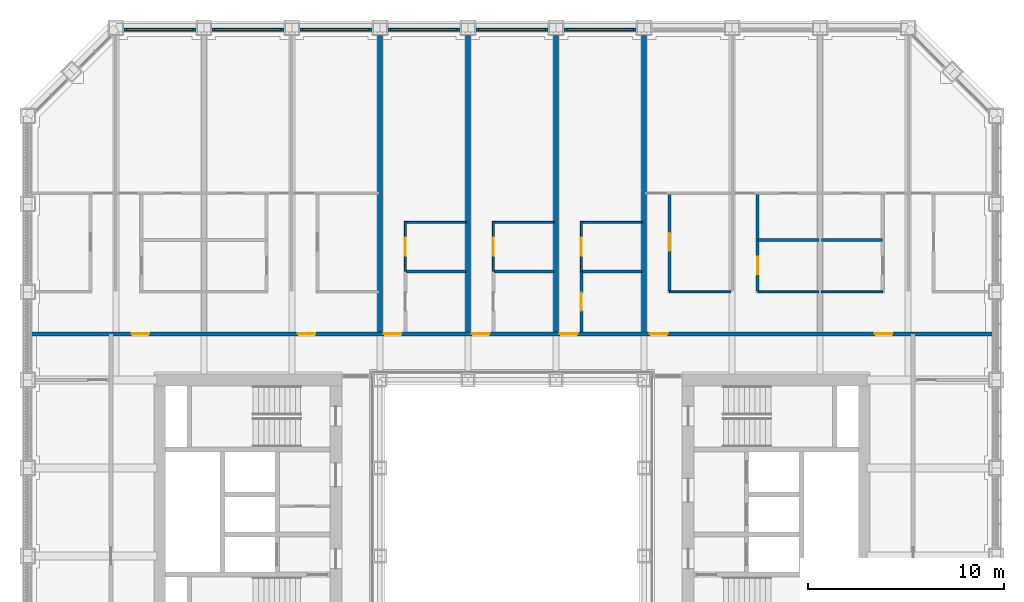
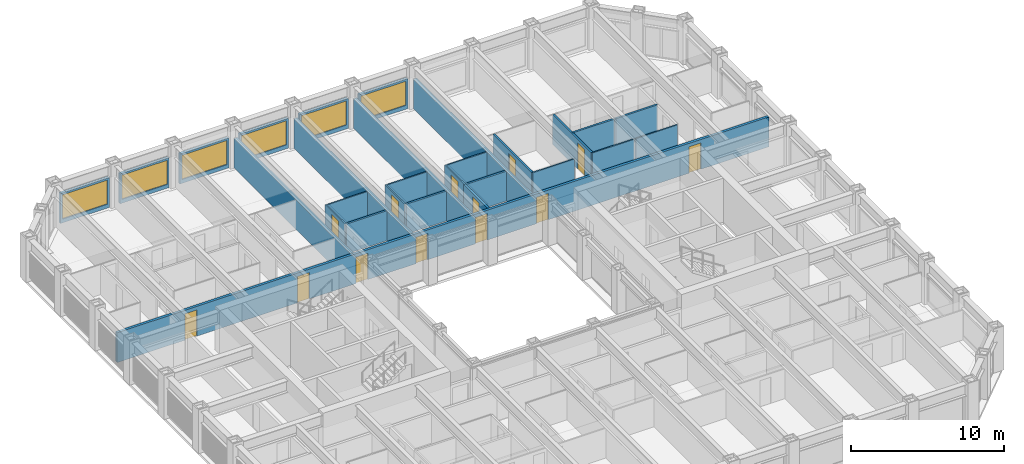
# One storey, part 14 of 21: 28 walls, 13 doors, 6 windows, 19 openings.
"""IFC4 building model written with IfcOpenShell, lengths in metres."""

from ifc_helpers import new_model, si_unit, direction, frame, frame_2d, origin, place, context, subcontext, project, spatial, rectangle, extrude, material, layer, layer_set, type_object, element, fill, save


model = new_model("IFC4")

# Units and contexts
model_context = context("Model", 3, precision=1e-05, world=origin(), true_north=direction((0.0, 1.0)))
body_context = subcontext(model_context, "Body", "Model", "MODEL_VIEW")
ifc_project = project(units=[si_unit("LENGTHUNIT", "METRE"), si_unit("AREAUNIT", "SQUARE_METRE"), si_unit("VOLUMEUNIT", "CUBIC_METRE"), si_unit("PLANEANGLEUNIT", "RADIAN"), si_unit("MASSUNIT", "GRAM", prefix="KILO")], contexts=[model_context])

# Site, building, storey
site_placement = place(None, origin())
site = spatial("IfcSite", under=ifc_project, at=site_placement, CompositionType="ELEMENT")
building_placement = place(site_placement, origin())
building = spatial("IfcBuilding", under=site, at=building_placement, Name="Msasa Ring Tower", CompositionType="ELEMENT")
storey_placement = place(building_placement, frame((0.0, 0.0, 44.0)))
storey = spatial("IfcBuildingStorey", under=building, at=storey_placement, Name="L10", CompositionType="ELEMENT", Elevation=44.0)

# Wall, opening, window
ifc_material_1 = material(Name="Terracotta rainscreen on blockwork", Category="masonry")
ifc_layer_1 = layer(ifc_material_1, 0.199951171875)
ifc_layer_set_1 = layer_set([ifc_layer_1], Name="FW1 TERRACOTTA-LINED INFILL BAY WALL 200")
wall_type_1 = type_object("IfcWallType", Name="FW1 TERRACOTTA-LINED INFILL BAY WALL 200", PredefinedType="SOLIDWALL", material=ifc_layer_set_1)
wall_1_placement = place(storey_placement, frame((-19.844970703125, 24.64990234375, 0.0), z_axis=(0.0, 0.0, 1.0), x_axis=(1.0, 0.0, 0.0)))
wall_1 = element("IfcWall", 1, at=wall_1_placement, inside=storey, type_object=wall_type_1, Name="Infill bay wall N L10 22", PredefinedType="SOLIDWALL", context=body_context, shape_type="SweptSolid", body=[
    extrude(rectangle(XDim=3.68994140625, YDim=0.199951171875, at=frame_2d((1.844970703125, 0.0))), origin(), (0.0, 0.0, 1.0), 2.37890625),
])
opening_1_placement = place(wall_1_placement, frame((0.14501953125, 0.0, 0.300048828125)))
opening_1 = element("IfcOpeningElement", 2, at=opening_1_placement, cuts=wall_1, Name="Opening WN1", PredefinedType="OPENING", context=body_context, shape_type="SweptSolid", body=[
    extrude(rectangle(XDim=3.39990234375, YDim=1.928955078125, at=frame_2d((1.699951171875, 0.96435546875))), frame((0.0, 0.10986328125, 0.0), z_axis=(0.0, -1.0, 0.0), x_axis=(1.0, 0.0, 0.0)), (0.0, 0.0, 1.0), 0.219970703125),
])
ifc_material_2 = material(Name="Aluminium frame with clear glass", Category="aluminium")
window_type = type_object("IfcWindowType", Name="WN1 RESIDENCE WINDOW 3400x1929", PartitioningType="SINGLE_PANEL", PredefinedType="WINDOW", material=ifc_material_2)
window_1_placement = place(opening_1_placement, origin())
window_1 = element("IfcWindow", 3, at=window_1_placement, inside=storey, type_object=window_type, Name="Window N L10 22", OverallHeight=1.928955078125, OverallWidth=3.39990234375, PartitioningType="SINGLE_PANEL", PredefinedType="WINDOW", context=body_context, shape_type="SweptSolid", body=[
    extrude(rectangle(XDim=3.39990234375, YDim=1.928955078125, at=frame_2d((1.699951171875, 0.96435546875))), frame((0.0, 0.030029296875, 0.0), z_axis=(0.0, -1.0, 0.0), x_axis=(1.0, 0.0, 0.0)), (0.0, 0.0, 1.0), 0.06005859375),
])
fill(opening_1, window_1)

wall_2_placement = place(storey_placement, frame((-15.344970703125, 24.64990234375, 0.0), z_axis=(0.0, 0.0, 1.0), x_axis=(1.0, 0.0, 0.0)))
wall_2 = element("IfcWall", 4, at=wall_2_placement, inside=storey, type_object=wall_type_1, Name="Infill bay wall N L10 23", PredefinedType="SOLIDWALL", context=body_context, shape_type="SweptSolid", body=[
    extrude(rectangle(XDim=3.68994140625, YDim=0.199951171875, at=frame_2d((1.844970703125, 0.0))), origin(), (0.0, 0.0, 1.0), 2.37890625),
])
opening_2_placement = place(wall_2_placement, frame((0.14501953125, 0.0, 0.300048828125)))
opening_2 = element("IfcOpeningElement", 5, at=opening_2_placement, cuts=wall_2, Name="Opening WN1", PredefinedType="OPENING", context=body_context, shape_type="SweptSolid", body=[
    extrude(rectangle(XDim=3.39990234375, YDim=1.928955078125, at=frame_2d((1.699951171875, 0.96435546875))), frame((0.0, 0.10986328125, 0.0), z_axis=(0.0, -1.0, 0.0), x_axis=(1.0, 0.0, 0.0)), (0.0, 0.0, 1.0), 0.219970703125),
])
window_2_placement = place(opening_2_placement, origin())
window_2 = element("IfcWindow", 6, at=window_2_placement, inside=storey, type_object=window_type, Name="Window N L10 23", OverallHeight=1.928955078125, OverallWidth=3.39990234375, PartitioningType="SINGLE_PANEL", PredefinedType="WINDOW", context=body_context, shape_type="SweptSolid", body=[
    extrude(rectangle(XDim=3.39990234375, YDim=1.928955078125, at=frame_2d((1.699951171875, 0.96435546875))), frame((0.0, 0.030029296875, 0.0), z_axis=(0.0, -1.0, 0.0), x_axis=(1.0, 0.0, 0.0)), (0.0, 0.0, 1.0), 0.06005859375),
])
fill(opening_2, window_2)

wall_3_placement = place(storey_placement, frame((-10.844970703125, 24.64990234375, 0.0), z_axis=(0.0, 0.0, 1.0), x_axis=(1.0, 0.0, 0.0)))
wall_3 = element("IfcWall", 7, at=wall_3_placement, inside=storey, type_object=wall_type_1, Name="Infill bay wall N L10 24", PredefinedType="SOLIDWALL", context=body_context, shape_type="SweptSolid", body=[
    extrude(rectangle(XDim=3.68994140625, YDim=0.199951171875, at=frame_2d((1.844970703125, 0.0))), origin(), (0.0, 0.0, 1.0), 2.37890625),
])
opening_3_placement = place(wall_3_placement, frame((0.14501953125, 0.0, 0.300048828125)))
opening_3 = element("IfcOpeningElement", 8, at=opening_3_placement, cuts=wall_3, Name="Opening WN1", PredefinedType="OPENING", context=body_context, shape_type="SweptSolid", body=[
    extrude(rectangle(XDim=3.39990234375, YDim=1.928955078125, at=frame_2d((1.699951171875, 0.96435546875))), frame((0.0, 0.10986328125, 0.0), z_axis=(0.0, -1.0, 0.0), x_axis=(1.0, 0.0, 0.0)), (0.0, 0.0, 1.0), 0.219970703125),
])
window_3_placement = place(opening_3_placement, origin())
window_3 = element("IfcWindow", 9, at=window_3_placement, inside=storey, type_object=window_type, Name="Window N L10 24", OverallHeight=1.928955078125, OverallWidth=3.39990234375, PartitioningType="SINGLE_PANEL", PredefinedType="WINDOW", context=body_context, shape_type="SweptSolid", body=[
    extrude(rectangle(XDim=3.39990234375, YDim=1.928955078125, at=frame_2d((1.699951171875, 0.96435546875))), frame((0.0, 0.030029296875, 0.0), z_axis=(0.0, -1.0, 0.0), x_axis=(1.0, 0.0, 0.0)), (0.0, 0.0, 1.0), 0.06005859375),
])
fill(opening_3, window_3)

wall_4_placement = place(storey_placement, frame((-6.344970703125, 24.64990234375, 0.0), z_axis=(0.0, 0.0, 1.0), x_axis=(1.0, 0.0, 0.0)))
wall_4 = element("IfcWall", 10, at=wall_4_placement, inside=storey, type_object=wall_type_1, Name="Infill bay wall N L10 25", PredefinedType="SOLIDWALL", context=body_context, shape_type="SweptSolid", body=[
    extrude(rectangle(XDim=3.68994140625, YDim=0.199951171875, at=frame_2d((1.844970703125, 0.0))), origin(), (0.0, 0.0, 1.0), 2.37890625),
])
opening_4_placement = place(wall_4_placement, frame((0.14501953125, 0.0, 0.300048828125)))
opening_4 = element("IfcOpeningElement", 11, at=opening_4_placement, cuts=wall_4, Name="Opening WN1", PredefinedType="OPENING", context=body_context, shape_type="SweptSolid", body=[
    extrude(rectangle(XDim=3.39990234375, YDim=1.928955078125, at=frame_2d((1.699951171875, 0.96435546875))), frame((0.0, 0.10986328125, 0.0), z_axis=(0.0, -1.0, 0.0), x_axis=(1.0, 0.0, 0.0)), (0.0, 0.0, 1.0), 0.219970703125),
])
window_4_placement = place(opening_4_placement, origin())
window_4 = element("IfcWindow", 12, at=window_4_placement, inside=storey, type_object=window_type, Name="Window N L10 25", OverallHeight=1.928955078125, OverallWidth=3.39990234375, PartitioningType="SINGLE_PANEL", PredefinedType="WINDOW", context=body_context, shape_type="SweptSolid", body=[
    extrude(rectangle(XDim=3.39990234375, YDim=1.928955078125, at=frame_2d((1.699951171875, 0.96435546875))), frame((0.0, 0.030029296875, 0.0), z_axis=(0.0, -1.0, 0.0), x_axis=(1.0, 0.0, 0.0)), (0.0, 0.0, 1.0), 0.06005859375),
])
fill(opening_4, window_4)

wall_5_placement = place(storey_placement, frame((-1.844970703125, 24.64990234375, 0.0), z_axis=(0.0, 0.0, 1.0), x_axis=(1.0, 0.0, 0.0)))
wall_5 = element("IfcWall", 13, at=wall_5_placement, inside=storey, type_object=wall_type_1, Name="Infill bay wall N L10 26", PredefinedType="SOLIDWALL", context=body_context, shape_type="SweptSolid", body=[
    extrude(rectangle(XDim=3.68994140625, YDim=0.199951171875, at=frame_2d((1.844970703125, 0.0))), origin(), (0.0, 0.0, 1.0), 2.37890625),
])
opening_5_placement = place(wall_5_placement, frame((0.14501953125, 0.0, 0.300048828125)))
opening_5 = element("IfcOpeningElement", 14, at=opening_5_placement, cuts=wall_5, Name="Opening WN1", PredefinedType="OPENING", context=body_context, shape_type="SweptSolid", body=[
    extrude(rectangle(XDim=3.39990234375, YDim=1.928955078125, at=frame_2d((1.699951171875, 0.96435546875))), frame((0.0, 0.10986328125, 0.0), z_axis=(0.0, -1.0, 0.0), x_axis=(1.0, 0.0, 0.0)), (0.0, 0.0, 1.0), 0.219970703125),
])
window_5_placement = place(opening_5_placement, origin())
window_5 = element("IfcWindow", 15, at=window_5_placement, inside=storey, type_object=window_type, Name="Window N L10 26", OverallHeight=1.928955078125, OverallWidth=3.39990234375, PartitioningType="SINGLE_PANEL", PredefinedType="WINDOW", context=body_context, shape_type="SweptSolid", body=[
    extrude(rectangle(XDim=3.39990234375, YDim=1.928955078125, at=frame_2d((1.699951171875, 0.96435546875))), frame((0.0, 0.030029296875, 0.0), z_axis=(0.0, -1.0, 0.0), x_axis=(1.0, 0.0, 0.0)), (0.0, 0.0, 1.0), 0.06005859375),
])
fill(opening_5, window_5)

wall_6_placement = place(storey_placement, frame((2.655029296875, 24.64990234375, 0.0), z_axis=(0.0, 0.0, 1.0), x_axis=(1.0, 0.0, 0.0)))
wall_6 = element("IfcWall", 16, at=wall_6_placement, inside=storey, type_object=wall_type_1, Name="Infill bay wall N L10 27", PredefinedType="SOLIDWALL", context=body_context, shape_type="SweptSolid", body=[
    extrude(rectangle(XDim=3.68994140625, YDim=0.199951171875, at=frame_2d((1.844970703125, 0.0))), origin(), (0.0, 0.0, 1.0), 2.37890625),
])
opening_6_placement = place(wall_6_placement, frame((0.14501953125, 0.0, 0.300048828125)))
opening_6 = element("IfcOpeningElement", 17, at=opening_6_placement, cuts=wall_6, Name="Opening WN1", PredefinedType="OPENING", context=body_context, shape_type="SweptSolid", body=[
    extrude(rectangle(XDim=3.39990234375, YDim=1.928955078125, at=frame_2d((1.699951171875, 0.96435546875))), frame((0.0, 0.10986328125, 0.0), z_axis=(0.0, -1.0, 0.0), x_axis=(1.0, 0.0, 0.0)), (0.0, 0.0, 1.0), 0.219970703125),
])
window_6_placement = place(opening_6_placement, origin())
window_6 = element("IfcWindow", 18, at=window_6_placement, inside=storey, type_object=window_type, Name="Window N L10 27", OverallHeight=1.928955078125, OverallWidth=3.39990234375, PartitioningType="SINGLE_PANEL", PredefinedType="WINDOW", context=body_context, shape_type="SweptSolid", body=[
    extrude(rectangle(XDim=3.39990234375, YDim=1.928955078125, at=frame_2d((1.699951171875, 0.96435546875))), frame((0.0, 0.030029296875, 0.0), z_axis=(0.0, -1.0, 0.0), x_axis=(1.0, 0.0, 0.0)), (0.0, 0.0, 1.0), 0.06005859375),
])
fill(opening_6, window_6)

# Wall, openings, doors
ifc_material_3 = material(Name="Concrete blockwork", Category="masonry")
ifc_layer_2 = layer(ifc_material_3, 0.199951171875)
ifc_layer_set_2 = layer_set([ifc_layer_2], Name="PT1 CORRIDOR WALL 200")
wall_type_2 = type_object("IfcWallType", Name="PT1 CORRIDOR WALL 200", PredefinedType="PARTITIONING", material=ifc_layer_set_2)
wall_7_placement = place(storey_placement, frame((-24.550048828125, 9.10009765625, 0.0), z_axis=(0.0, 0.0, 1.0), x_axis=(1.0, 0.0, 0.0)))
wall_7 = element("IfcWall", 19, at=wall_7_placement, inside=storey, type_object=wall_type_2, Name="Corridor wall L10-CORRN0", PredefinedType="PARTITIONING", context=body_context, shape_type="SweptSolid", body=[
    extrude(rectangle(XDim=49.10009765625, YDim=0.199951171875, at=frame_2d((24.550048828125, 0.0))), origin(), (0.0, 0.0, 1.0), 2.373291015625),
])
opening_7_placement = place(wall_7_placement, frame((5.10009765625, 0.0, 0.0)))
opening_7 = element("IfcOpeningElement", 20, at=opening_7_placement, cuts=wall_7, Name="Opening RB-027", PredefinedType="OPENING", context=body_context, shape_type="SweptSolid", body=[
    extrude(rectangle(XDim=0.89990234375, YDim=2.10009765625, at=frame_2d((0.449951171875, 1.050048828125))), frame((0.0, 0.10986328125, 0.0), z_axis=(0.0, -1.0, 0.0), x_axis=(1.0, 0.0, 0.0)), (0.0, 0.0, 1.0), 0.219970703125),
])
opening_8_placement = place(wall_7_placement, frame((13.60009765625, 0.0, 0.0)))
opening_8 = element("IfcOpeningElement", 21, at=opening_8_placement, cuts=wall_7, Name="Opening RB-028", PredefinedType="OPENING", context=body_context, shape_type="SweptSolid", body=[
    extrude(rectangle(XDim=0.89990234375, YDim=2.10009765625, at=frame_2d((0.449951171875, 1.050048828125))), frame((0.0, 0.10986328125, 0.0), z_axis=(0.0, -1.0, 0.0), x_axis=(1.0, 0.0, 0.0)), (0.0, 0.0, 1.0), 0.219970703125),
])
opening_9_placement = place(wall_7_placement, frame((18.0, 0.0, 0.0)))
opening_9 = element("IfcOpeningElement", 22, at=opening_9_placement, cuts=wall_7, Name="Opening RB-029", PredefinedType="OPENING", context=body_context, shape_type="SweptSolid", body=[
    extrude(rectangle(XDim=0.89990234375, YDim=2.10009765625, at=frame_2d((0.449951171875, 1.050048828125))), frame((0.0, 0.10986328125, 0.0), z_axis=(0.0, -1.0, 0.0), x_axis=(1.0, 0.0, 0.0)), (0.0, 0.0, 1.0), 0.219970703125),
])
opening_10_placement = place(wall_7_placement, frame((22.5, 0.0, 0.0)))
opening_10 = element("IfcOpeningElement", 23, at=opening_10_placement, cuts=wall_7, Name="Opening RB-030", PredefinedType="OPENING", context=body_context, shape_type="SweptSolid", body=[
    extrude(rectangle(XDim=0.89990234375, YDim=2.10009765625, at=frame_2d((0.449951171875, 1.050048828125))), frame((0.0, 0.10986328125, 0.0), z_axis=(0.0, -1.0, 0.0), x_axis=(1.0, 0.0, 0.0)), (0.0, 0.0, 1.0), 0.219970703125),
])
opening_11_placement = place(wall_7_placement, frame((27.0, 0.0, 0.0)))
opening_11 = element("IfcOpeningElement", 24, at=opening_11_placement, cuts=wall_7, Name="Opening RB-031", PredefinedType="OPENING", context=body_context, shape_type="SweptSolid", body=[
    extrude(rectangle(XDim=0.89990234375, YDim=2.10009765625, at=frame_2d((0.449951171875, 1.050048828125))), frame((0.0, 0.10986328125, 0.0), z_axis=(0.0, -1.0, 0.0), x_axis=(1.0, 0.0, 0.0)), (0.0, 0.0, 1.0), 0.219970703125),
])
opening_12_placement = place(wall_7_placement, frame((31.60009765625, 0.0, 0.0)))
opening_12 = element("IfcOpeningElement", 25, at=opening_12_placement, cuts=wall_7, Name="Opening RB-032", PredefinedType="OPENING", context=body_context, shape_type="SweptSolid", body=[
    extrude(rectangle(XDim=0.89990234375, YDim=2.10009765625, at=frame_2d((0.449951171875, 1.050048828125))), frame((0.0, 0.10986328125, 0.0), z_axis=(0.0, -1.0, 0.0), x_axis=(1.0, 0.0, 0.0)), (0.0, 0.0, 1.0), 0.219970703125),
])
opening_13_placement = place(wall_7_placement, frame((43.10009765625, 0.0, 0.0)))
opening_13 = element("IfcOpeningElement", 26, at=opening_13_placement, cuts=wall_7, Name="Opening RB-033", PredefinedType="OPENING", context=body_context, shape_type="SweptSolid", body=[
    extrude(rectangle(XDim=0.89990234375, YDim=2.10009765625, at=frame_2d((0.449951171875, 1.050048828125))), frame((0.0, 0.10986328125, 0.0), z_axis=(0.0, -1.0, 0.0), x_axis=(1.0, 0.0, 0.0)), (0.0, 0.0, 1.0), 0.219970703125),
])
ifc_material_4 = material(Name="Timber door leaf in a steel frame", Category="steel")
door_type_1 = type_object("IfcDoorType", Name="D2 ENTRANCE DOOR 900x2100", OperationType="SINGLE_SWING_LEFT", PredefinedType="DOOR", material=ifc_material_4)
door_1_placement = place(opening_7_placement, origin())
door_1 = element("IfcDoor", 27, at=door_1_placement, inside=storey, type_object=door_type_1, Name="Door L10-UN00", OperationType="SINGLE_SWING_LEFT", OverallHeight=2.10009765625, OverallWidth=0.89990234375, PredefinedType="DOOR", context=body_context, shape_type="SweptSolid", body=[
    extrude(rectangle(XDim=0.89990234375, YDim=2.10009765625, at=frame_2d((0.449951171875, 1.050048828125))), frame((0.0, 0.02490234375, 0.0), z_axis=(0.0, -1.0, 0.0), x_axis=(1.0, 0.0, 0.0)), (0.0, 0.0, 1.0), 0.050048828125),
])
fill(opening_7, door_1)
door_2_placement = place(opening_8_placement, origin())
door_2 = element("IfcDoor", 28, at=door_2_placement, inside=storey, type_object=door_type_1, Name="Door L10-UN01", OperationType="SINGLE_SWING_LEFT", OverallHeight=2.10009765625, OverallWidth=0.89990234375, PredefinedType="DOOR", context=body_context, shape_type="SweptSolid", body=[
    extrude(rectangle(XDim=0.89990234375, YDim=2.10009765625, at=frame_2d((0.449951171875, 1.050048828125))), frame((0.0, 0.02490234375, 0.0), z_axis=(0.0, -1.0, 0.0), x_axis=(1.0, 0.0, 0.0)), (0.0, 0.0, 1.0), 0.050048828125),
])
fill(opening_8, door_2)
door_3_placement = place(opening_9_placement, origin())
door_3 = element("IfcDoor", 29, at=door_3_placement, inside=storey, type_object=door_type_1, Name="Door L10-UN02", OperationType="SINGLE_SWING_LEFT", OverallHeight=2.10009765625, OverallWidth=0.89990234375, PredefinedType="DOOR", context=body_context, shape_type="SweptSolid", body=[
    extrude(rectangle(XDim=0.89990234375, YDim=2.10009765625, at=frame_2d((0.449951171875, 1.050048828125))), frame((0.0, 0.02490234375, 0.0), z_axis=(0.0, -1.0, 0.0), x_axis=(1.0, 0.0, 0.0)), (0.0, 0.0, 1.0), 0.050048828125),
])
fill(opening_9, door_3)
door_4_placement = place(opening_10_placement, origin())
door_4 = element("IfcDoor", 30, at=door_4_placement, inside=storey, type_object=door_type_1, Name="Door L10-UN03", OperationType="SINGLE_SWING_LEFT", OverallHeight=2.10009765625, OverallWidth=0.89990234375, PredefinedType="DOOR", context=body_context, shape_type="SweptSolid", body=[
    extrude(rectangle(XDim=0.89990234375, YDim=2.10009765625, at=frame_2d((0.449951171875, 1.050048828125))), frame((0.0, 0.02490234375, 0.0), z_axis=(0.0, -1.0, 0.0), x_axis=(1.0, 0.0, 0.0)), (0.0, 0.0, 1.0), 0.050048828125),
])
fill(opening_10, door_4)
door_5_placement = place(opening_11_placement, origin())
door_5 = element("IfcDoor", 31, at=door_5_placement, inside=storey, type_object=door_type_1, Name="Door L10-UN04", OperationType="SINGLE_SWING_RIGHT", OverallHeight=2.10009765625, OverallWidth=0.89990234375, PredefinedType="DOOR", context=body_context, shape_type="SweptSolid", body=[
    extrude(rectangle(XDim=0.89990234375, YDim=2.10009765625, at=frame_2d((0.449951171875, 1.050048828125))), frame((0.0, 0.02490234375, 0.0), z_axis=(0.0, -1.0, 0.0), x_axis=(1.0, 0.0, 0.0)), (0.0, 0.0, 1.0), 0.050048828125),
])
fill(opening_11, door_5)
door_6_placement = place(opening_12_placement, origin())
door_6 = element("IfcDoor", 32, at=door_6_placement, inside=storey, type_object=door_type_1, Name="Door L10-UN05", OperationType="SINGLE_SWING_RIGHT", OverallHeight=2.10009765625, OverallWidth=0.89990234375, PredefinedType="DOOR", context=body_context, shape_type="SweptSolid", body=[
    extrude(rectangle(XDim=0.89990234375, YDim=2.10009765625, at=frame_2d((0.449951171875, 1.050048828125))), frame((0.0, 0.02490234375, 0.0), z_axis=(0.0, -1.0, 0.0), x_axis=(1.0, 0.0, 0.0)), (0.0, 0.0, 1.0), 0.050048828125),
])
fill(opening_12, door_6)
door_7_placement = place(opening_13_placement, origin())
door_7 = element("IfcDoor", 33, at=door_7_placement, inside=storey, type_object=door_type_1, Name="Door L10-UN06", OperationType="SINGLE_SWING_RIGHT", OverallHeight=2.10009765625, OverallWidth=0.89990234375, PredefinedType="DOOR", context=body_context, shape_type="SweptSolid", body=[
    extrude(rectangle(XDim=0.89990234375, YDim=2.10009765625, at=frame_2d((0.449951171875, 1.050048828125))), frame((0.0, 0.02490234375, 0.0), z_axis=(0.0, -1.0, 0.0), x_axis=(1.0, 0.0, 0.0)), (0.0, 0.0, 1.0), 0.050048828125),
])
fill(opening_13, door_7)

# Wall
ifc_material_5 = material(Name="Gypsum board on steel studs", Category="steel")
ifc_layer_3 = layer(ifc_material_5, 0.10009765625)
ifc_layer_set_3 = layer_set([ifc_layer_3], Name="PT2 STUD PARTITION 100")
wall_type_3 = type_object("IfcWallType", Name="PT2 STUD PARTITION 100", PredefinedType="PARTITIONING", material=ifc_layer_set_3)
wall_8_placement = place(storey_placement, frame((-5.39990234375, 14.800048828125, 0.0), z_axis=(0.0, 0.0, 1.0), x_axis=(1.0, 0.0, 0.0)))
element("IfcWall", 34, at=wall_8_placement, inside=storey, type_object=wall_type_3, Name="Partition L10-UN02KY", PredefinedType="PARTITIONING", context=body_context, shape_type="SweptSolid", body=[
    extrude(rectangle(XDim=3.0498046875, YDim=0.10009765625, at=frame_2d((1.52490234375, 0.0))), origin(), (0.0, 0.0, 1.0), 2.373291015625),
])

# Wall, opening, door
wall_9_placement = place(storey_placement, frame((-5.449951171875, 12.300048828125, 0.0), z_axis=(0.0, 0.0, 1.0), x_axis=(0.0, 1.0, 0.0)))
wall_9 = element("IfcWall", 35, at=wall_9_placement, inside=storey, type_object=wall_type_3, Name="Partition L10-UN02KX", PredefinedType="PARTITIONING", context=body_context, shape_type="SweptSolid", body=[
    extrude(rectangle(XDim=2.550048828125, YDim=0.10009765625, at=frame_2d((1.27490234375, 0.0))), origin(), (0.0, 0.0, 1.0), 2.373291015625),
])
opening_14_placement = place(wall_9_placement, frame((0.81005859375, 0.0, 0.0)))
opening_14 = element("IfcOpeningElement", 36, at=opening_14_placement, cuts=wall_9, Name="Opening RB-017", PredefinedType="OPENING", context=body_context, shape_type="SweptSolid", body=[
    extrude(rectangle(XDim=0.89990234375, YDim=2.10009765625, at=frame_2d((0.449951171875, 1.050048828125))), frame((0.0, 0.06005859375, 0.0), z_axis=(0.0, -1.0, 0.0), x_axis=(1.0, 0.0, 0.0)), (0.0, 0.0, 1.0), 0.1201171875),
])
ifc_material_6 = material(Name="Timber door leaf in a steel frame", Category="steel")
door_type_2 = type_object("IfcDoorType", Name="D22 INTERNAL HALL DOOR 900x2100", OperationType="SINGLE_SWING_LEFT", PredefinedType="DOOR", material=ifc_material_6)
door_8_placement = place(opening_14_placement, origin())
door_8 = element("IfcDoor", 37, at=door_8_placement, inside=storey, type_object=door_type_2, Name="Door L10-UN02K", OperationType="SINGLE_SWING_LEFT", OverallHeight=2.10009765625, OverallWidth=0.89990234375, PredefinedType="DOOR", context=body_context, shape_type="SweptSolid", body=[
    extrude(rectangle(XDim=0.89990234375, YDim=2.10009765625, at=frame_2d((0.449951171875, 1.050048828125))), frame((0.0, 0.02490234375, 0.0), z_axis=(0.0, -1.0, 0.0), x_axis=(1.0, 0.0, 0.0)), (0.0, 0.0, 1.0), 0.050048828125),
])
fill(opening_14, door_8)

# Wall
wall_10_placement = place(storey_placement, frame((-0.89990234375, 14.800048828125, 0.0), z_axis=(0.0, 0.0, 1.0), x_axis=(1.0, 0.0, 0.0)))
element("IfcWall", 38, at=wall_10_placement, inside=storey, type_object=wall_type_3, Name="Partition L10-UN03KY", PredefinedType="PARTITIONING", context=body_context, shape_type="SweptSolid", body=[
    extrude(rectangle(XDim=3.0498046875, YDim=0.10009765625, at=frame_2d((1.52490234375, 0.0))), origin(), (0.0, 0.0, 1.0), 2.373291015625),
])

# Wall, opening, door
wall_11_placement = place(storey_placement, frame((-0.949951171875, 12.300048828125, 0.0), z_axis=(0.0, 0.0, 1.0), x_axis=(0.0, 1.0, 0.0)))
wall_11 = element("IfcWall", 39, at=wall_11_placement, inside=storey, type_object=wall_type_3, Name="Partition L10-UN03KX", PredefinedType="PARTITIONING", context=body_context, shape_type="SweptSolid", body=[
    extrude(rectangle(XDim=2.550048828125, YDim=0.10009765625, at=frame_2d((1.27490234375, 0.0))), origin(), (0.0, 0.0, 1.0), 2.373291015625),
])
opening_15_placement = place(wall_11_placement, frame((0.81005859375, 0.0, 0.0)))
opening_15 = element("IfcOpeningElement", 40, at=opening_15_placement, cuts=wall_11, Name="Opening RB-018", PredefinedType="OPENING", context=body_context, shape_type="SweptSolid", body=[
    extrude(rectangle(XDim=0.89990234375, YDim=2.10009765625, at=frame_2d((0.449951171875, 1.050048828125))), frame((0.0, 0.06005859375, 0.0), z_axis=(0.0, -1.0, 0.0), x_axis=(1.0, 0.0, 0.0)), (0.0, 0.0, 1.0), 0.1201171875),
])
door_9_placement = place(opening_15_placement, origin())
door_9 = element("IfcDoor", 41, at=door_9_placement, inside=storey, type_object=door_type_2, Name="Door L10-UN03K", OperationType="SINGLE_SWING_LEFT", OverallHeight=2.10009765625, OverallWidth=0.89990234375, PredefinedType="DOOR", context=body_context, shape_type="SweptSolid", body=[
    extrude(rectangle(XDim=0.89990234375, YDim=2.10009765625, at=frame_2d((0.449951171875, 1.050048828125))), frame((0.0, 0.02490234375, 0.0), z_axis=(0.0, -1.0, 0.0), x_axis=(1.0, 0.0, 0.0)), (0.0, 0.0, 1.0), 0.050048828125),
])
fill(opening_15, door_9)

# Wall
wall_12_placement = place(storey_placement, frame((3.60009765625, 14.800048828125, 0.0), z_axis=(0.0, 0.0, 1.0), x_axis=(1.0, 0.0, 0.0)))
element("IfcWall", 42, at=wall_12_placement, inside=storey, type_object=wall_type_3, Name="Partition L10-UN04KY", PredefinedType="PARTITIONING", context=body_context, shape_type="SweptSolid", body=[
    extrude(rectangle(XDim=3.0498046875, YDim=0.10009765625, at=frame_2d((1.52490234375, 0.0))), origin(), (0.0, 0.0, 1.0), 2.373291015625),
])

# Wall, opening, door
wall_13_placement = place(storey_placement, frame((3.550048828125, 12.300048828125, 0.0), z_axis=(0.0, 0.0, 1.0), x_axis=(0.0, 1.0, 0.0)))
wall_13 = element("IfcWall", 43, at=wall_13_placement, inside=storey, type_object=wall_type_3, Name="Partition L10-UN04KX", PredefinedType="PARTITIONING", context=body_context, shape_type="SweptSolid", body=[
    extrude(rectangle(XDim=2.550048828125, YDim=0.10009765625, at=frame_2d((1.27490234375, 0.0))), origin(), (0.0, 0.0, 1.0), 2.373291015625),
])
opening_16_placement = place(wall_13_placement, frame((0.81005859375, 0.0, 0.0)))
opening_16 = element("IfcOpeningElement", 44, at=opening_16_placement, cuts=wall_13, Name="Opening RB-019", PredefinedType="OPENING", context=body_context, shape_type="SweptSolid", body=[
    extrude(rectangle(XDim=0.89990234375, YDim=2.10009765625, at=frame_2d((0.449951171875, 1.050048828125))), frame((0.0, 0.06005859375, 0.0), z_axis=(0.0, -1.0, 0.0), x_axis=(1.0, 0.0, 0.0)), (0.0, 0.0, 1.0), 0.1201171875),
])
door_10_placement = place(opening_16_placement, origin())
door_10 = element("IfcDoor", 45, at=door_10_placement, inside=storey, type_object=door_type_2, Name="Door L10-UN04K", OperationType="SINGLE_SWING_LEFT", OverallHeight=2.10009765625, OverallWidth=0.89990234375, PredefinedType="DOOR", context=body_context, shape_type="SweptSolid", body=[
    extrude(rectangle(XDim=0.89990234375, YDim=2.10009765625, at=frame_2d((0.449951171875, 1.050048828125))), frame((0.0, 0.02490234375, 0.0), z_axis=(0.0, -1.0, 0.0), x_axis=(1.0, 0.0, 0.0)), (0.0, 0.0, 1.0), 0.050048828125),
])
fill(opening_16, door_10)

# Walls
for number, where, z_axis, x_axis, name in (
    (46, (8.050048828125, 11.25, 0.0), (0.0, 0.0, 1.0), (1.0, 0.0, 0.0), "Partition L10-UN05HY0"),
    (47, (12.550048828125, 11.25, 0.0), (0.0, 0.0, 1.0), (1.0, 0.0, 0.0), "Partition L10-UN05HY1"),
    (48, (15.81005859375, 11.25, 0.0), (0.0, 0.0, 1.0), (1.0, 0.0, 0.0), "Partition L10-UN06HY1"),
):
    element("IfcWall", number, at=place(storey_placement, frame(where, z_axis=z_axis, x_axis=x_axis)), inside=storey, type_object=wall_type_3, Name=name, PredefinedType="PARTITIONING", context=body_context, shape_type="SweptSolid", body=[
        extrude(rectangle(XDim=3.139892578125, YDim=0.10009765625, at=frame_2d((1.56982421875, 0.0))), origin(), (0.0, 0.0, 1.0), 2.373291015625),
    ])
ifc_material_7 = material(Name="Dense concrete blockwork, plastered both faces", Category="masonry")
ifc_layer_4 = layer(ifc_material_7, 0.25)
ifc_layer_set_4 = layer_set([ifc_layer_4], Name="PT3 APARTMENT SEPARATING WALL 250")
wall_type_4 = type_object("IfcWallType", Name="PT3 APARTMENT SEPARATING WALL 250", PredefinedType="PARTITIONING", material=ifc_layer_set_4)
for number, where, z_axis, x_axis, name in (
    (49, (-6.75, 9.199951171875, 0.0), (0.0, 0.0, 1.0), (0.0, 1.0, 0.0), "Party wall L10-PWN-6.75"),
    (50, (-2.25, 9.199951171875, 0.0), (0.0, 0.0, 1.0), (0.0, 1.0, 0.0), "Party wall L10-PWN-2.25"),
    (51, (2.25, 9.199951171875, 0.0), (0.0, 0.0, 1.0), (0.0, 1.0, 0.0), "Party wall L10-PWN+2.25"),
    (52, (6.75, 9.199951171875, 0.0), (0.0, 0.0, 1.0), (0.0, 1.0, 0.0), "Party wall L10-PWN+6.75"),
):
    element("IfcWall", number, at=place(storey_placement, frame(where, z_axis=z_axis, x_axis=x_axis)), inside=storey, type_object=wall_type_4, Name=name, PredefinedType="PARTITIONING", context=body_context, shape_type="SweptSolid", body=[
        extrude(rectangle(XDim=15.150146484375, YDim=0.25, at=frame_2d((7.5751953125, 0.0))), origin(), (0.0, 0.0, 1.0), 2.373291015625),
    ])
ifc_material_8 = material(Name="Moisture-resistant board on steel studs with a concealed cistern and pipe void, tiled", Category="steel")
ifc_layer_5 = layer(ifc_material_8, 0.14990234375)
ifc_layer_set_5 = layer_set([ifc_layer_5], Name="PT4 BATHROOM WET WALL 150")
wall_type_5 = type_object("IfcWallType", Name="PT4 BATHROOM WET WALL 150", PredefinedType="PARTITIONING", material=ifc_layer_set_5)
for number, where, z_axis, x_axis, name in (
    (53, (-5.39990234375, 12.300048828125, 0.0), (0.0, 0.0, 1.0), (1.0, 0.0, 0.0), "Partition L10-UN02BY"),
    (54, (-0.89990234375, 12.300048828125, 0.0), (0.0, 0.0, 1.0), (1.0, 0.0, 0.0), "Partition L10-UN03BY"),
):
    element("IfcWall", number, at=place(storey_placement, frame(where, z_axis=z_axis, x_axis=x_axis)), inside=storey, type_object=wall_type_5, Name=name, PredefinedType="PARTITIONING", context=body_context, shape_type="SweptSolid", body=[
        extrude(rectangle(XDim=3.0498046875, YDim=0.14990234375, at=frame_2d((1.52490234375, 0.0))), origin(), (0.0, 0.0, 1.0), 2.373291015625),
    ])

# Wall, opening, door
wall_14_placement = place(storey_placement, frame((3.550048828125, 9.199951171875, 0.0), z_axis=(0.0, 0.0, 1.0), x_axis=(0.0, 1.0, 0.0)))
wall_14 = element("IfcWall", 55, at=wall_14_placement, inside=storey, type_object=wall_type_5, Name="Partition L10-UN04BX", PredefinedType="PARTITIONING", context=body_context, shape_type="SweptSolid", body=[
    extrude(rectangle(XDim=3.150146484375, YDim=0.14990234375, at=frame_2d((1.5751953125, 0.0))), origin(), (0.0, 0.0, 1.0), 2.373291015625),
])
opening_17_placement = place(wall_14_placement, frame((1.10009765625, 0.0, 0.0)))
opening_17 = element("IfcOpeningElement", 56, at=opening_17_placement, cuts=wall_14, Name="Opening RB-026", PredefinedType="OPENING", context=body_context, shape_type="SweptSolid", body=[
    extrude(rectangle(XDim=0.89990234375, YDim=2.10009765625, at=frame_2d((0.449951171875, 1.050048828125))), frame((0.0, 0.0849609375, 0.0), z_axis=(0.0, -1.0, 0.0), x_axis=(1.0, 0.0, 0.0)), (0.0, 0.0, 1.0), 0.169921875),
])
ifc_material_9 = material(Name="Timber door leaf in a steel frame", Category="steel")
door_type_3 = type_object("IfcDoorType", Name="D3 BATHROOM DOOR 900x2100", OperationType="SINGLE_SWING_LEFT", PredefinedType="DOOR", material=ifc_material_9)
door_11_placement = place(opening_17_placement, origin())
door_11 = element("IfcDoor", 57, at=door_11_placement, inside=storey, type_object=door_type_3, Name="Door L10-UN04B", OperationType="SINGLE_SWING_LEFT", OverallHeight=2.10009765625, OverallWidth=0.89990234375, PredefinedType="DOOR", context=body_context, shape_type="SweptSolid", body=[
    extrude(rectangle(XDim=0.89990234375, YDim=2.10009765625, at=frame_2d((0.449951171875, 1.050048828125))), frame((0.0, 0.02490234375, 0.0), z_axis=(0.0, -1.0, 0.0), x_axis=(1.0, 0.0, 0.0)), (0.0, 0.0, 1.0), 0.050048828125),
])
fill(opening_17, door_11)

# Wall
wall_15_placement = place(storey_placement, frame((3.60009765625, 12.300048828125, 0.0), z_axis=(0.0, 0.0, 1.0), x_axis=(1.0, 0.0, 0.0)))
element("IfcWall", 58, at=wall_15_placement, inside=storey, type_object=wall_type_5, Name="Partition L10-UN04BY", PredefinedType="PARTITIONING", context=body_context, shape_type="SweptSolid", body=[
    extrude(rectangle(XDim=3.0498046875, YDim=0.14990234375, at=frame_2d((1.52490234375, 0.0))), origin(), (0.0, 0.0, 1.0), 2.373291015625),
])

# Wall, opening, door
wall_16_placement = place(storey_placement, frame((8.050048828125, 11.300048828125, 0.0), z_axis=(0.0, 0.0, 1.0), x_axis=(0.0, 1.0, 0.0)))
wall_16 = element("IfcWall", 59, at=wall_16_placement, inside=storey, type_object=wall_type_5, Name="Partition L10-UN05SX0", PredefinedType="PARTITIONING", context=body_context, shape_type="SweptSolid", body=[
    extrude(rectangle(XDim=5.0, YDim=0.14990234375, at=frame_2d((2.5, 0.0))), origin(), (0.0, 0.0, 1.0), 2.373291015625),
])
opening_18_placement = place(wall_16_placement, frame((2.050048828125, 0.0, 0.0)))
opening_18 = element("IfcOpeningElement", 60, at=opening_18_placement, cuts=wall_16, Name="Opening RB-015", PredefinedType="OPENING", context=body_context, shape_type="SweptSolid", body=[
    extrude(rectangle(XDim=0.89990234375, YDim=2.10009765625, at=frame_2d((0.449951171875, 1.050048828125))), frame((0.0, 0.0849609375, 0.0), z_axis=(0.0, -1.0, 0.0), x_axis=(1.0, 0.0, 0.0)), (0.0, 0.0, 1.0), 0.169921875),
])
door_12_placement = place(opening_18_placement, origin())
door_12 = element("IfcDoor", 61, at=door_12_placement, inside=storey, type_object=door_type_2, Name="Door L10-UN05K", OperationType="SINGLE_SWING_LEFT", OverallHeight=2.10009765625, OverallWidth=0.89990234375, PredefinedType="DOOR", context=body_context, shape_type="SweptSolid", body=[
    extrude(rectangle(XDim=0.89990234375, YDim=2.10009765625, at=frame_2d((0.449951171875, 1.050048828125))), frame((0.0, 0.02490234375, 0.0), z_axis=(0.0, -1.0, 0.0), x_axis=(1.0, 0.0, 0.0)), (0.0, 0.0, 1.0), 0.050048828125),
])
fill(opening_18, door_12)

wall_17_placement = place(storey_placement, frame((12.550048828125, 11.300048828125, 0.0), z_axis=(0.0, 0.0, 1.0), x_axis=(0.0, 1.0, 0.0)))
wall_17 = element("IfcWall", 62, at=wall_17_placement, inside=storey, type_object=wall_type_5, Name="Partition L10-UN05SX1", PredefinedType="PARTITIONING", context=body_context, shape_type="SweptSolid", body=[
    extrude(rectangle(XDim=5.0, YDim=0.14990234375, at=frame_2d((2.5, 0.0))), origin(), (0.0, 0.0, 1.0), 2.373291015625),
])
opening_19_placement = place(wall_17_placement, frame((0.85009765625, 0.0, 0.0)))
opening_19 = element("IfcOpeningElement", 63, at=opening_19_placement, cuts=wall_17, Name="Opening RB-022", PredefinedType="OPENING", context=body_context, shape_type="SweptSolid", body=[
    extrude(rectangle(XDim=0.89990234375, YDim=2.10009765625, at=frame_2d((0.449951171875, 1.050048828125))), frame((0.0, 0.0849609375, 0.0), z_axis=(0.0, -1.0, 0.0), x_axis=(1.0, 0.0, 0.0)), (0.0, 0.0, 1.0), 0.169921875),
])
door_13_placement = place(opening_19_placement, origin())
door_13 = element("IfcDoor", 64, at=door_13_placement, inside=storey, type_object=door_type_3, Name="Door L10-UN05B1", OperationType="SINGLE_SWING_LEFT", OverallHeight=2.10009765625, OverallWidth=0.89990234375, PredefinedType="DOOR", context=body_context, shape_type="SweptSolid", body=[
    extrude(rectangle(XDim=0.89990234375, YDim=2.10009765625, at=frame_2d((0.449951171875, 1.050048828125))), frame((0.0, 0.02490234375, 0.0), z_axis=(0.0, -1.0, 0.0), x_axis=(1.0, 0.0, 0.0)), (0.0, 0.0, 1.0), 0.050048828125),
])
fill(opening_19, door_13)

# Walls
for number, where, z_axis, x_axis, name in (
    (65, (12.550048828125, 13.89990234375, 0.0), (0.0, 0.0, 1.0), (1.0, 0.0, 0.0), "Partition L10-UN05SB1"),
    (66, (15.81005859375, 13.89990234375, 0.0), (0.0, 0.0, 1.0), (1.0, 0.0, 0.0), "Partition L10-UN06SB1"),
):
    element("IfcWall", number, at=place(storey_placement, frame(where, z_axis=z_axis, x_axis=x_axis)), inside=storey, type_object=wall_type_5, Name=name, PredefinedType="PARTITIONING", context=body_context, shape_type="SweptSolid", body=[
        extrude(rectangle(XDim=3.139892578125, YDim=0.14990234375, at=frame_2d((1.56982421875, 0.0))), origin(), (0.0, 0.0, 1.0), 2.373291015625),
    ])

save(model, "model.ifc")
